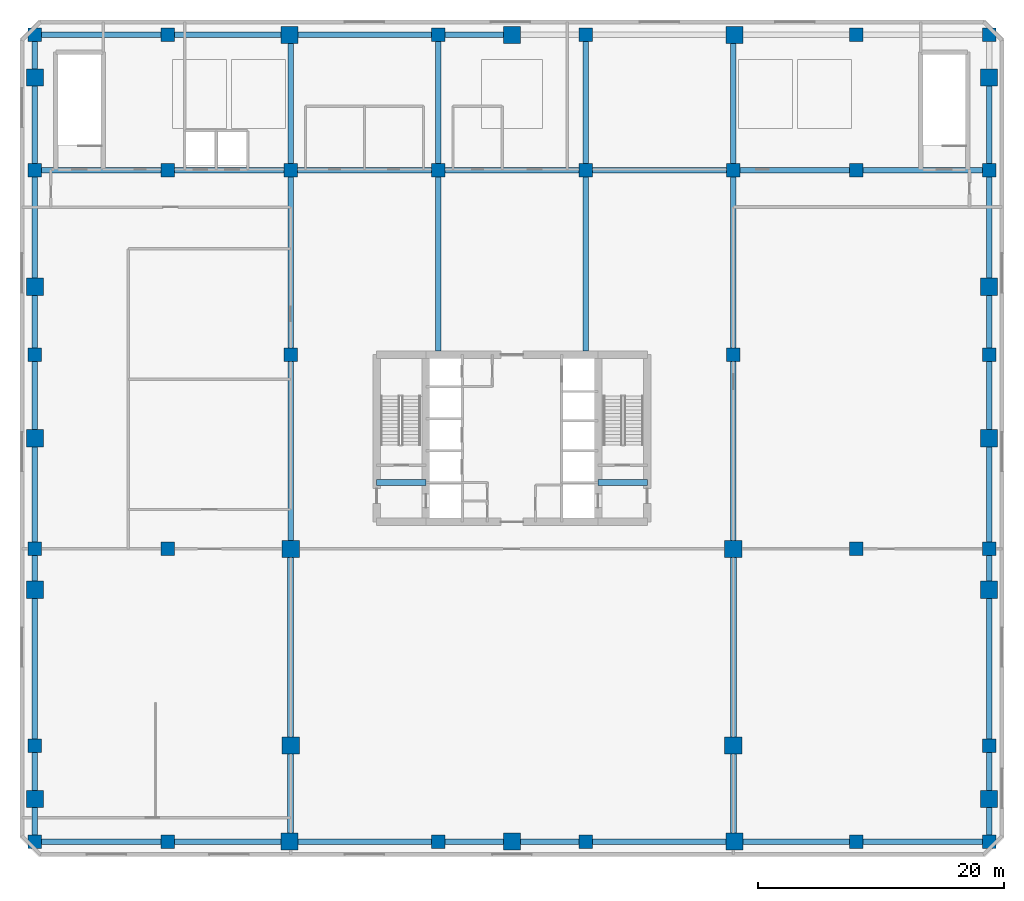
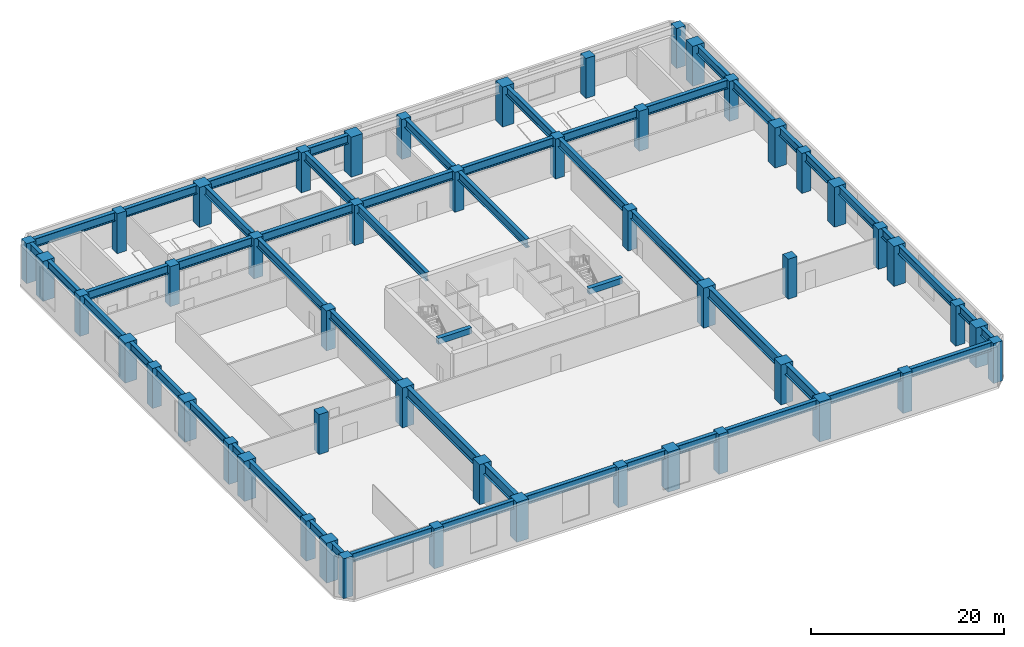
# One storey, part 1 of 12: 52 beams, 50 columns.
"""IFC4 building model written with IfcOpenShell, lengths in metres."""

from ifc_helpers import new_model, si_unit, direction, frame, origin, origin_2d, place, context, subcontext, project, spatial, rectangle, i_section, extrude, material, material_profile, profile_set, type_object, element, save


model = new_model("IFC4")

# Units and contexts
model_context = context("Model", 3, precision=1e-05, world=origin(), true_north=direction((0.0, 1.0)))
body_context = subcontext(model_context, "Body", "Model", "MODEL_VIEW")
ifc_project = project(units=[si_unit("LENGTHUNIT", "METRE"), si_unit("AREAUNIT", "SQUARE_METRE"), si_unit("VOLUMEUNIT", "CUBIC_METRE"), si_unit("PLANEANGLEUNIT", "RADIAN"), si_unit("MASSUNIT", "GRAM", prefix="KILO")], contexts=[model_context])

# Site, building, storey
site_placement = place(None, origin())
site = spatial("IfcSite", under=ifc_project, at=site_placement, CompositionType="ELEMENT")
building_placement = place(site_placement, origin())
building = spatial("IfcBuilding", under=site, at=building_placement, Name="Sarneth Arch Tower", CompositionType="ELEMENT")
storey_placement = place(building_placement, frame((0.0, 0.0, 16.800048828125)))
storey = spatial("IfcBuildingStorey", under=building, at=storey_placement, Name="L03", CompositionType="ELEMENT", Elevation=16.800048828125)

# Columns
ifc_material_1 = material(Name="Concrete C60/75", Category="concrete")
ifc_material_profile_1 = material_profile(ifc_material_1, rectangle(XDim=1.10009765625, YDim=1.10009765625, at=origin_2d()), Name="RC-1100x1100")
ifc_profile_set_1 = profile_set([ifc_material_profile_1], Name="Concrete C60/75")
column_type_1 = type_object("IfcColumnType", Name="COL-RC-1100", PredefinedType="COLUMN", material=ifc_profile_set_1)
for number, where, z_axis, x_axis, name in (
    (1, (9.199951171875, 74.800048828125, 0.0), (0.0, 0.0, 1.0), (1.0, 0.0, 0.0), "L03 Podium column PN01"),
    (2, (9.199951171875, 9.199951171875, 0.0), (0.0, 0.0, 1.0), (1.0, 0.0, 0.0), "L03 Podium column PS01"),
    (3, (9.199951171875, 63.800048828125, 0.0), (0.0, 0.0, 1.0), (1.0, 0.0, 0.0), "L03 Podium column PC01"),
    (4, (20.0, 74.800048828125, 0.0), (0.0, 0.0, 1.0), (1.0, 0.0, 0.0), "L03 Podium column PN02"),
    (5, (20.0, 9.199951171875, 0.0), (0.0, 0.0, 1.0), (1.0, 0.0, 0.0), "L03 Podium column PS02"),
    (6, (20.0, 63.800048828125, 0.0), (0.0, 0.0, 1.0), (1.0, 0.0, 0.0), "L03 Podium column PC02"),
    (7, (30.0, 63.800048828125, 0.0), (0.0, 0.0, 1.0), (1.0, 0.0, 0.0), "L03 Podium column PC03"),
    (8, (42.0, 74.800048828125, 0.0), (0.0, 0.0, 1.0), (1.0, 0.0, 0.0), "L03 Podium column PN04"),
    (9, (42.0, 9.199951171875, 0.0), (0.0, 0.0, 1.0), (1.0, 0.0, 0.0), "L03 Podium column PS04"),
    (10, (42.0, 63.800048828125, 0.0), (0.0, 0.0, 1.0), (1.0, 0.0, 0.0), "L03 Podium column PC04"),
    (11, (54.0, 74.800048828125, 0.0), (0.0, 0.0, 1.0), (1.0, 0.0, 0.0), "L03 Podium column PN05"),
    (12, (54.0, 9.199951171875, 0.0), (0.0, 0.0, 1.0), (1.0, 0.0, 0.0), "L03 Podium column PS05"),
    (13, (54.0, 63.800048828125, 0.0), (0.0, 0.0, 1.0), (1.0, 0.0, 0.0), "L03 Podium column PC05"),
    (14, (66.0, 63.800048828125, 0.0), (0.0, 0.0, 1.0), (1.0, 0.0, 0.0), "L03 Podium column PC06"),
    (15, (76.0, 74.800048828125, 0.0), (0.0, 0.0, 1.0), (1.0, 0.0, 0.0), "L03 Podium column PN07"),
    (16, (76.0, 9.199951171875, 0.0), (0.0, 0.0, 1.0), (1.0, 0.0, 0.0), "L03 Podium column PS07"),
    (17, (76.0, 63.800048828125, 0.0), (0.0, 0.0, 1.0), (1.0, 0.0, 0.0), "L03 Podium column PC07"),
    (18, (86.800048828125, 74.800048828125, 0.0), (0.0, 0.0, 1.0), (1.0, 0.0, 0.0), "L03 Podium column PN08"),
    (19, (86.800048828125, 9.199951171875, 0.0), (0.0, 0.0, 1.0), (1.0, 0.0, 0.0), "L03 Podium column PS08"),
    (20, (86.800048828125, 63.800048828125, 0.0), (0.0, 0.0, 1.0), (1.0, 0.0, 0.0), "L03 Podium column PC08"),
    (21, (9.199951171875, 17.0, 0.0), (0.0, 0.0, 1.0), (1.0, 0.0, 0.0), "L03 Podium column PW01"),
    (22, (86.800048828125, 17.0, 0.0), (0.0, 0.0, 1.0), (1.0, 0.0, 0.0), "L03 Podium column PE01"),
    (23, (9.199951171875, 33.0, 0.0), (0.0, 0.0, 1.0), (1.0, 0.0, 0.0), "L03 Podium column PW02"),
    (24, (86.800048828125, 33.0, 0.0), (0.0, 0.0, 1.0), (1.0, 0.0, 0.0), "L03 Podium column PE02"),
    (25, (9.199951171875, 48.800048828125, 0.0), (0.0, 0.0, 1.0), (1.0, 0.0, 0.0), "L03 Podium column PW03"),
    (26, (86.800048828125, 48.800048828125, 0.0), (0.0, 0.0, 1.0), (1.0, 0.0, 0.0), "L03 Podium column PE03"),
    (27, (20.0, 33.0, 0.0), (0.0, 0.0, 1.0), (1.0, 0.0, 0.0), "L03 Podium column AN-W1"),
    (28, (76.0, 33.0, 0.0), (0.0, 0.0, 1.0), (1.0, 0.0, 0.0), "L03 Podium column AN-E1"),
    (29, (30.0, 48.800048828125, 0.0), (0.0, 0.0, 1.0), (1.0, 0.0, 0.0), "L03 Podium column WC-W1"),
    (30, (66.0, 48.800048828125, 0.0), (0.0, 0.0, 1.0), (1.0, 0.0, 0.0), "L03 Podium column WC-E1"),
):
    element("IfcColumn", number, at=place(storey_placement, frame(where, z_axis=z_axis, x_axis=x_axis)), inside=storey, type_object=column_type_1, Name=name, PredefinedType="COLUMN", context=body_context, shape_type="SweptSolid", body=[
        extrude(rectangle(XDim=1.10009765625, YDim=1.10009765625, at=origin_2d()), origin(), (0.0, 0.0, 1.0), 5.050048828125),
    ])
ifc_material_2 = material(Name="Concrete C60/75", Category="concrete")
ifc_material_profile_2 = material_profile(ifc_material_2, rectangle(XDim=1.39990234375, YDim=1.39990234375, at=origin_2d()), Name="RC-1400x1400")
ifc_profile_set_2 = profile_set([ifc_material_profile_2], Name="Concrete C60/75")
column_type_2 = type_object("IfcColumnType", Name="COL-RC-1400", PredefinedType="COLUMN", material=ifc_profile_set_2)
for number, where, z_axis, x_axis, name in (
    (31, (30.0, 17.0, 0.0), (0.0, 0.0, 1.0), (1.0, 0.0, 0.0), "L03 Podium column AP-SW"),
    (32, (66.0, 17.0, 0.0), (0.0, 0.0, 1.0), (1.0, 0.0, 0.0), "L03 Podium column AP-SE"),
    (33, (30.0, 33.0, 0.0), (0.0, 0.0, 1.0), (1.0, 0.0, 0.0), "L03 Podium column AP-NW"),
    (34, (66.0, 33.0, 0.0), (0.0, 0.0, 1.0), (1.0, 0.0, 0.0), "L03 Podium column AP-NE"),
    (35, (86.800048828125, 42.0, 0.0), (0.0, 0.0, 1.0), (1.0, 0.0, 0.0), "L03 Podium column PX01"),
    (36, (86.800048828125, 54.31787109375, 0.0), (0.0, 0.0, 1.0), (1.0, 0.0, 0.0), "L03 Podium column PX02"),
    (37, (86.800048828125, 71.336669921875, 0.0), (0.0, 0.0, 1.0), (1.0, 0.0, 0.0), "L03 Podium column PX03"),
    (38, (66.08447265625, 74.800048828125, 0.0), (0.0, 0.0, 1.0), (1.0, 0.0, 0.0), "L03 Podium column PX04"),
    (39, (48.0, 74.800048828125, 0.0), (0.0, 0.0, 1.0), (1.0, 0.0, 0.0), "L03 Podium column PX05"),
    (40, (29.91552734375, 74.800048828125, 0.0), (0.0, 0.0, 1.0), (1.0, 0.0, 0.0), "L03 Podium column PX06"),
    (41, (9.199951171875, 71.336669921875, 0.0), (0.0, 0.0, 1.0), (1.0, 0.0, 0.0), "L03 Podium column PX07"),
    (42, (9.199951171875, 54.31787109375, 0.0), (0.0, 0.0, 1.0), (1.0, 0.0, 0.0), "L03 Podium column PX08"),
    (43, (9.199951171875, 42.0, 0.0), (0.0, 0.0, 1.0), (1.0, 0.0, 0.0), "L03 Podium column PX09"),
    (44, (9.199951171875, 29.68212890625, 0.0), (0.0, 0.0, 1.0), (1.0, 0.0, 0.0), "L03 Podium column PX10"),
    (45, (9.199951171875, 12.663330078125, 0.0), (0.0, 0.0, 1.0), (1.0, 0.0, 0.0), "L03 Podium column PX11"),
    (46, (29.91552734375, 9.199951171875, 0.0), (0.0, 0.0, 1.0), (1.0, 0.0, 0.0), "L03 Podium column PX12"),
    (47, (48.0, 9.199951171875, 0.0), (0.0, 0.0, 1.0), (1.0, 0.0, 0.0), "L03 Podium column PX13"),
    (48, (66.08447265625, 9.199951171875, 0.0), (0.0, 0.0, 1.0), (1.0, 0.0, 0.0), "L03 Podium column PX14"),
    (49, (86.800048828125, 12.663330078125, 0.0), (0.0, 0.0, 1.0), (1.0, 0.0, 0.0), "L03 Podium column PX15"),
    (50, (86.800048828125, 29.68212890625, 0.0), (0.0, 0.0, 1.0), (1.0, 0.0, 0.0), "L03 Podium column PX16"),
):
    element("IfcColumn", number, at=place(storey_placement, frame(where, z_axis=z_axis, x_axis=x_axis)), inside=storey, type_object=column_type_2, Name=name, PredefinedType="COLUMN", context=body_context, shape_type="SweptSolid", body=[
        extrude(rectangle(XDim=1.39990234375, YDim=1.39990234375, at=origin_2d()), origin(), (0.0, 0.0, 1.0), 5.050048828125),
    ])

# Beams
ifc_material_3 = material(Name="Concrete C50/60", Category="concrete")
ifc_material_profile_3 = material_profile(ifc_material_3, rectangle(XDim=0.5, YDim=0.75, at=origin_2d()), Name="RC-500x750")
ifc_profile_set_3 = profile_set([ifc_material_profile_3], Name="Concrete C50/60")
beam_type_1 = type_object("IfcBeamType", Name="BM-LINTEL-RC", PredefinedType="LINTEL", material=ifc_profile_set_3)
for number, where, z_axis, x_axis, name in (
    (51, (37.0, 38.39990234375, 4.675048828125), (1.0, 0.0, 0.0), (0.0, 1.0, 0.0), "L03 Core coupling lintel W"),
    (52, (55.0, 38.39990234375, 4.675048828125), (1.0, 0.0, 0.0), (0.0, 1.0, 0.0), "L03 Core coupling lintel E"),
):
    element("IfcBeam", number, at=place(storey_placement, frame(where, z_axis=z_axis, x_axis=x_axis)), inside=storey, type_object=beam_type_1, Name=name, PredefinedType="LINTEL", context=body_context, shape_type="SweptSolid", body=[
        extrude(rectangle(XDim=0.5, YDim=0.75, at=origin_2d()), origin(), (0.0, 0.0, 1.0), 4.0),
    ])
ifc_material_4 = material(Name="Steel S355", Category="steel")
ifc_material_profile_4 = material_profile(ifc_material_4, i_section(OverallWidth=0.449951171875, OverallDepth=1.10009765625, WebThickness=0.02001953125, FlangeThickness=0.0380859375, FilletRadius=0.02197265625, at=origin_2d()), Name="CVS1100x456")
ifc_profile_set_4 = profile_set([ifc_material_profile_4], Name="Steel S355")
beam_type_2 = type_object("IfcBeamType", Name="BM-XFER-1100", PredefinedType="BEAM", material=ifc_profile_set_4)
beam_1_placement = place(storey_placement, frame((9.719970703125, 74.800048828125, 4.5), z_axis=(1.0, 0.0, 0.0), x_axis=(0.0, 1.0, 0.0)))
element("IfcBeam", 53, at=beam_1_placement, inside=storey, type_object=beam_type_2, Name="L03 Podium PN girder 1", PredefinedType="BEAM", context=body_context, shape_type="SweptSolid", body=[
    extrude(i_section(OverallWidth=0.449951171875, OverallDepth=1.10009765625, WebThickness=0.02001953125, FlangeThickness=0.0380859375, FilletRadius=0.02197265625, at=origin_2d()), origin(), (0.0, 0.0, 1.0), 9.760009765625),
])
beam_2_placement = place(storey_placement, frame((20.52001953125, 74.800048828125, 4.5), z_axis=(1.0, 0.0, 0.0), x_axis=(0.0, 1.0, 0.0)))
element("IfcBeam", 54, at=beam_2_placement, inside=storey, type_object=beam_type_2, Name="L03 Podium PN girder 2", PredefinedType="BEAM", context=body_context, shape_type="SweptSolid", body=[
    extrude(i_section(OverallWidth=0.449951171875, OverallDepth=1.10009765625, WebThickness=0.02001953125, FlangeThickness=0.0380859375, FilletRadius=0.02197265625, at=origin_2d()), origin(), (0.0, 0.0, 1.0), 8.87548828125),
])
beam_3_placement = place(storey_placement, frame((30.435546875, 74.800048828125, 4.5), z_axis=(1.0, 0.0, 0.0), x_axis=(0.0, 1.0, 0.0)))
element("IfcBeam", 55, at=beam_3_placement, inside=storey, type_object=beam_type_2, Name="L03 Podium PN girder 3", PredefinedType="BEAM", context=body_context, shape_type="SweptSolid", body=[
    extrude(i_section(OverallWidth=0.449951171875, OverallDepth=1.10009765625, WebThickness=0.02001953125, FlangeThickness=0.0380859375, FilletRadius=0.02197265625, at=origin_2d()), origin(), (0.0, 0.0, 1.0), 11.04443359375),
])
beam_4_placement = place(storey_placement, frame((42.52001953125, 74.800048828125, 4.5), z_axis=(1.0, 0.0, 0.0), x_axis=(0.0, 1.0, 0.0)))
element("IfcBeam", 56, at=beam_4_placement, inside=storey, type_object=beam_type_2, Name="L03 Podium PN girder 4", PredefinedType="BEAM", context=body_context, shape_type="SweptSolid", body=[
    extrude(i_section(OverallWidth=0.449951171875, OverallDepth=1.10009765625, WebThickness=0.02001953125, FlangeThickness=0.0380859375, FilletRadius=0.02197265625, at=origin_2d()), origin(), (0.0, 0.0, 1.0), 4.9599609375),
])
beam_5_placement = place(storey_placement, frame((9.719970703125, 9.199951171875, 4.5), z_axis=(1.0, 0.0, 0.0), x_axis=(0.0, 1.0, 0.0)))
element("IfcBeam", 57, at=beam_5_placement, inside=storey, type_object=beam_type_2, Name="L03 Podium PS girder 1", PredefinedType="BEAM", context=body_context, shape_type="SweptSolid", body=[
    extrude(i_section(OverallWidth=0.449951171875, OverallDepth=1.10009765625, WebThickness=0.02001953125, FlangeThickness=0.0380859375, FilletRadius=0.02197265625, at=origin_2d()), origin(), (0.0, 0.0, 1.0), 9.760009765625),
])
beam_6_placement = place(storey_placement, frame((20.52001953125, 9.199951171875, 4.5), z_axis=(1.0, 0.0, 0.0), x_axis=(0.0, 1.0, 0.0)))
element("IfcBeam", 58, at=beam_6_placement, inside=storey, type_object=beam_type_2, Name="L03 Podium PS girder 2", PredefinedType="BEAM", context=body_context, shape_type="SweptSolid", body=[
    extrude(i_section(OverallWidth=0.449951171875, OverallDepth=1.10009765625, WebThickness=0.02001953125, FlangeThickness=0.0380859375, FilletRadius=0.02197265625, at=origin_2d()), origin(), (0.0, 0.0, 1.0), 8.87548828125),
])
beam_7_placement = place(storey_placement, frame((30.435546875, 9.199951171875, 4.5), z_axis=(1.0, 0.0, 0.0), x_axis=(0.0, 1.0, 0.0)))
element("IfcBeam", 59, at=beam_7_placement, inside=storey, type_object=beam_type_2, Name="L03 Podium PS girder 3", PredefinedType="BEAM", context=body_context, shape_type="SweptSolid", body=[
    extrude(i_section(OverallWidth=0.449951171875, OverallDepth=1.10009765625, WebThickness=0.02001953125, FlangeThickness=0.0380859375, FilletRadius=0.02197265625, at=origin_2d()), origin(), (0.0, 0.0, 1.0), 11.04443359375),
])
for number, where, z_axis, x_axis, name in (
    (60, (42.52001953125, 9.199951171875, 4.5), (1.0, 0.0, 0.0), (0.0, 1.0, 0.0), "L03 Podium PS girder 4"),
    (61, (48.52001953125, 9.199951171875, 4.5), (1.0, 0.0, 0.0), (0.0, 1.0, 0.0), "L03 Podium PS girder 5"),
):
    element("IfcBeam", number, at=place(storey_placement, frame(where, z_axis=z_axis, x_axis=x_axis)), inside=storey, type_object=beam_type_2, Name=name, PredefinedType="BEAM", context=body_context, shape_type="SweptSolid", body=[
        extrude(i_section(OverallWidth=0.449951171875, OverallDepth=1.10009765625, WebThickness=0.02001953125, FlangeThickness=0.0380859375, FilletRadius=0.02197265625, at=origin_2d()), origin(), (0.0, 0.0, 1.0), 4.9599609375),
    ])
beam_8_placement = place(storey_placement, frame((54.52001953125, 9.199951171875, 4.5), z_axis=(1.0, 0.0, 0.0), x_axis=(0.0, 1.0, 0.0)))
element("IfcBeam", 62, at=beam_8_placement, inside=storey, type_object=beam_type_2, Name="L03 Podium PS girder 6", PredefinedType="BEAM", context=body_context, shape_type="SweptSolid", body=[
    extrude(i_section(OverallWidth=0.449951171875, OverallDepth=1.10009765625, WebThickness=0.02001953125, FlangeThickness=0.0380859375, FilletRadius=0.02197265625, at=origin_2d()), origin(), (0.0, 0.0, 1.0), 11.04443359375),
])
beam_9_placement = place(storey_placement, frame((66.6044921875, 9.199951171875, 4.5), z_axis=(1.0, 0.0, 0.0), x_axis=(0.0, 1.0, 0.0)))
element("IfcBeam", 63, at=beam_9_placement, inside=storey, type_object=beam_type_2, Name="L03 Podium PS girder 7", PredefinedType="BEAM", context=body_context, shape_type="SweptSolid", body=[
    extrude(i_section(OverallWidth=0.449951171875, OverallDepth=1.10009765625, WebThickness=0.02001953125, FlangeThickness=0.0380859375, FilletRadius=0.02197265625, at=origin_2d()), origin(), (0.0, 0.0, 1.0), 8.87548828125),
])
for number, where, z_axis, x_axis, name in (
    (64, (76.52001953125, 9.199951171875, 4.5), (1.0, 0.0, 0.0), (0.0, 1.0, 0.0), "L03 Podium PS girder 8"),
    (65, (9.719970703125, 63.800048828125, 4.5), (1.0, 0.0, 0.0), (0.0, 1.0, 0.0), "L03 Podium PC girder 1"),
):
    element("IfcBeam", number, at=place(storey_placement, frame(where, z_axis=z_axis, x_axis=x_axis)), inside=storey, type_object=beam_type_2, Name=name, PredefinedType="BEAM", context=body_context, shape_type="SweptSolid", body=[
        extrude(i_section(OverallWidth=0.449951171875, OverallDepth=1.10009765625, WebThickness=0.02001953125, FlangeThickness=0.0380859375, FilletRadius=0.02197265625, at=origin_2d()), origin(), (0.0, 0.0, 1.0), 9.760009765625),
    ])
beam_10_placement = place(storey_placement, frame((20.52001953125, 63.800048828125, 4.5), z_axis=(1.0, 0.0, 0.0), x_axis=(0.0, 1.0, 0.0)))
element("IfcBeam", 66, at=beam_10_placement, inside=storey, type_object=beam_type_2, Name="L03 Podium PC girder 2", PredefinedType="BEAM", context=body_context, shape_type="SweptSolid", body=[
    extrude(i_section(OverallWidth=0.449951171875, OverallDepth=1.10009765625, WebThickness=0.02001953125, FlangeThickness=0.0380859375, FilletRadius=0.02197265625, at=origin_2d()), origin(), (0.0, 0.0, 1.0), 8.9599609375),
])
for number, where, z_axis, x_axis, name in (
    (67, (30.52001953125, 63.800048828125, 4.5), (1.0, 0.0, 0.0), (0.0, 1.0, 0.0), "L03 Podium PC girder 3"),
    (68, (42.52001953125, 63.800048828125, 4.5), (1.0, 0.0, 0.0), (0.0, 1.0, 0.0), "L03 Podium PC girder 4"),
    (69, (54.52001953125, 63.800048828125, 4.5), (1.0, 0.0, 0.0), (0.0, 1.0, 0.0), "L03 Podium PC girder 5"),
):
    element("IfcBeam", number, at=place(storey_placement, frame(where, z_axis=z_axis, x_axis=x_axis)), inside=storey, type_object=beam_type_2, Name=name, PredefinedType="BEAM", context=body_context, shape_type="SweptSolid", body=[
        extrude(i_section(OverallWidth=0.449951171875, OverallDepth=1.10009765625, WebThickness=0.02001953125, FlangeThickness=0.0380859375, FilletRadius=0.02197265625, at=origin_2d()), origin(), (0.0, 0.0, 1.0), 10.9599609375),
    ])
beam_11_placement = place(storey_placement, frame((66.52001953125, 63.800048828125, 4.5), z_axis=(1.0, 0.0, 0.0), x_axis=(0.0, 1.0, 0.0)))
element("IfcBeam", 70, at=beam_11_placement, inside=storey, type_object=beam_type_2, Name="L03 Podium PC girder 6", PredefinedType="BEAM", context=body_context, shape_type="SweptSolid", body=[
    extrude(i_section(OverallWidth=0.449951171875, OverallDepth=1.10009765625, WebThickness=0.02001953125, FlangeThickness=0.0380859375, FilletRadius=0.02197265625, at=origin_2d()), origin(), (0.0, 0.0, 1.0), 8.9599609375),
])
beam_12_placement = place(storey_placement, frame((76.52001953125, 63.800048828125, 4.5), z_axis=(1.0, 0.0, 0.0), x_axis=(0.0, 1.0, 0.0)))
element("IfcBeam", 71, at=beam_12_placement, inside=storey, type_object=beam_type_2, Name="L03 Podium PC girder 7", PredefinedType="BEAM", context=body_context, shape_type="SweptSolid", body=[
    extrude(i_section(OverallWidth=0.449951171875, OverallDepth=1.10009765625, WebThickness=0.02001953125, FlangeThickness=0.0380859375, FilletRadius=0.02197265625, at=origin_2d()), origin(), (0.0, 0.0, 1.0), 9.760009765625),
])
beam_13_placement = place(storey_placement, frame((9.199951171875, 9.719970703125, 4.5), z_axis=(0.0, 1.0, 0.0), x_axis=(-1.0, 0.0, 0.0)))
element("IfcBeam", 72, at=beam_13_placement, inside=storey, type_object=beam_type_2, Name="L03 Podium PW girder 1", PredefinedType="BEAM", context=body_context, shape_type="SweptSolid", body=[
    extrude(i_section(OverallWidth=0.449951171875, OverallDepth=1.10009765625, WebThickness=0.02001953125, FlangeThickness=0.0380859375, FilletRadius=0.02197265625, at=origin_2d()), origin(), (0.0, 0.0, 1.0), 2.42333984375),
])
beam_14_placement = place(storey_placement, frame((9.199951171875, 13.183349609375, 4.5), z_axis=(0.0, 1.0, 0.0), x_axis=(-1.0, 0.0, 0.0)))
element("IfcBeam", 73, at=beam_14_placement, inside=storey, type_object=beam_type_2, Name="L03 Podium PW girder 2", PredefinedType="BEAM", context=body_context, shape_type="SweptSolid", body=[
    extrude(i_section(OverallWidth=0.449951171875, OverallDepth=1.10009765625, WebThickness=0.02001953125, FlangeThickness=0.0380859375, FilletRadius=0.02197265625, at=origin_2d()), origin(), (0.0, 0.0, 1.0), 3.296630859375),
])
beam_15_placement = place(storey_placement, frame((9.199951171875, 17.52001953125, 4.5), z_axis=(0.0, 1.0, 0.0), x_axis=(-1.0, 0.0, 0.0)))
element("IfcBeam", 74, at=beam_15_placement, inside=storey, type_object=beam_type_2, Name="L03 Podium PW girder 3", PredefinedType="BEAM", context=body_context, shape_type="SweptSolid", body=[
    extrude(i_section(OverallWidth=0.449951171875, OverallDepth=1.10009765625, WebThickness=0.02001953125, FlangeThickness=0.0380859375, FilletRadius=0.02197265625, at=origin_2d()), origin(), (0.0, 0.0, 1.0), 11.64208984375),
])
beam_16_placement = place(storey_placement, frame((9.199951171875, 30.2021484375, 4.5), z_axis=(0.0, 1.0, 0.0), x_axis=(-1.0, 0.0, 0.0)))
element("IfcBeam", 75, at=beam_16_placement, inside=storey, type_object=beam_type_2, Name="L03 Podium PW girder 4", PredefinedType="BEAM", context=body_context, shape_type="SweptSolid", body=[
    extrude(i_section(OverallWidth=0.449951171875, OverallDepth=1.10009765625, WebThickness=0.02001953125, FlangeThickness=0.0380859375, FilletRadius=0.02197265625, at=origin_2d()), origin(), (0.0, 0.0, 1.0), 2.27783203125),
])
beam_17_placement = place(storey_placement, frame((9.199951171875, 33.52001953125, 4.5), z_axis=(0.0, 1.0, 0.0), x_axis=(-1.0, 0.0, 0.0)))
element("IfcBeam", 76, at=beam_17_placement, inside=storey, type_object=beam_type_2, Name="L03 Podium PW girder 5", PredefinedType="BEAM", context=body_context, shape_type="SweptSolid", body=[
    extrude(i_section(OverallWidth=0.449951171875, OverallDepth=1.10009765625, WebThickness=0.02001953125, FlangeThickness=0.0380859375, FilletRadius=0.02197265625, at=origin_2d()), origin(), (0.0, 0.0, 1.0), 7.9599609375),
])
beam_18_placement = place(storey_placement, frame((9.199951171875, 42.52001953125, 4.5), z_axis=(0.0, 1.0, 0.0), x_axis=(-1.0, 0.0, 0.0)))
element("IfcBeam", 77, at=beam_18_placement, inside=storey, type_object=beam_type_2, Name="L03 Podium PW girder 6", PredefinedType="BEAM", context=body_context, shape_type="SweptSolid", body=[
    extrude(i_section(OverallWidth=0.449951171875, OverallDepth=1.10009765625, WebThickness=0.02001953125, FlangeThickness=0.0380859375, FilletRadius=0.02197265625, at=origin_2d()), origin(), (0.0, 0.0, 1.0), 5.760009765625),
])
beam_19_placement = place(storey_placement, frame((9.199951171875, 49.320068359375, 4.5), z_axis=(0.0, 1.0, 0.0), x_axis=(-1.0, 0.0, 0.0)))
element("IfcBeam", 78, at=beam_19_placement, inside=storey, type_object=beam_type_2, Name="L03 Podium PW girder 7", PredefinedType="BEAM", context=body_context, shape_type="SweptSolid", body=[
    extrude(i_section(OverallWidth=0.449951171875, OverallDepth=1.10009765625, WebThickness=0.02001953125, FlangeThickness=0.0380859375, FilletRadius=0.02197265625, at=origin_2d()), origin(), (0.0, 0.0, 1.0), 4.477783203125),
])
beam_20_placement = place(storey_placement, frame((9.199951171875, 54.837890625, 4.5), z_axis=(0.0, 1.0, 0.0), x_axis=(-1.0, 0.0, 0.0)))
element("IfcBeam", 79, at=beam_20_placement, inside=storey, type_object=beam_type_2, Name="L03 Podium PW girder 8", PredefinedType="BEAM", context=body_context, shape_type="SweptSolid", body=[
    extrude(i_section(OverallWidth=0.449951171875, OverallDepth=1.10009765625, WebThickness=0.02001953125, FlangeThickness=0.0380859375, FilletRadius=0.02197265625, at=origin_2d()), origin(), (0.0, 0.0, 1.0), 8.442138671875),
])
beam_21_placement = place(storey_placement, frame((9.199951171875, 64.320068359375, 4.5), z_axis=(0.0, 1.0, 0.0), x_axis=(-1.0, 0.0, 0.0)))
element("IfcBeam", 80, at=beam_21_placement, inside=storey, type_object=beam_type_2, Name="L03 Podium PW girder 9", PredefinedType="BEAM", context=body_context, shape_type="SweptSolid", body=[
    extrude(i_section(OverallWidth=0.449951171875, OverallDepth=1.10009765625, WebThickness=0.02001953125, FlangeThickness=0.0380859375, FilletRadius=0.02197265625, at=origin_2d()), origin(), (0.0, 0.0, 1.0), 6.49658203125),
])
for number, where, z_axis, x_axis, name in (
    (81, (9.199951171875, 71.856689453125, 4.5), (0.0, 1.0, 0.0), (-1.0, 0.0, 0.0), "L03 Podium PW girder 10"),
    (82, (86.800048828125, 9.719970703125, 4.5), (0.0, 1.0, 0.0), (-1.0, 0.0, 0.0), "L03 Podium PE girder 1"),
):
    element("IfcBeam", number, at=place(storey_placement, frame(where, z_axis=z_axis, x_axis=x_axis)), inside=storey, type_object=beam_type_2, Name=name, PredefinedType="BEAM", context=body_context, shape_type="SweptSolid", body=[
        extrude(i_section(OverallWidth=0.449951171875, OverallDepth=1.10009765625, WebThickness=0.02001953125, FlangeThickness=0.0380859375, FilletRadius=0.02197265625, at=origin_2d()), origin(), (0.0, 0.0, 1.0), 2.42333984375),
    ])
beam_22_placement = place(storey_placement, frame((86.800048828125, 13.183349609375, 4.5), z_axis=(0.0, 1.0, 0.0), x_axis=(-1.0, 0.0, 0.0)))
element("IfcBeam", 83, at=beam_22_placement, inside=storey, type_object=beam_type_2, Name="L03 Podium PE girder 2", PredefinedType="BEAM", context=body_context, shape_type="SweptSolid", body=[
    extrude(i_section(OverallWidth=0.449951171875, OverallDepth=1.10009765625, WebThickness=0.02001953125, FlangeThickness=0.0380859375, FilletRadius=0.02197265625, at=origin_2d()), origin(), (0.0, 0.0, 1.0), 3.296630859375),
])
beam_23_placement = place(storey_placement, frame((86.800048828125, 17.52001953125, 4.5), z_axis=(0.0, 1.0, 0.0), x_axis=(-1.0, 0.0, 0.0)))
element("IfcBeam", 84, at=beam_23_placement, inside=storey, type_object=beam_type_2, Name="L03 Podium PE girder 3", PredefinedType="BEAM", context=body_context, shape_type="SweptSolid", body=[
    extrude(i_section(OverallWidth=0.449951171875, OverallDepth=1.10009765625, WebThickness=0.02001953125, FlangeThickness=0.0380859375, FilletRadius=0.02197265625, at=origin_2d()), origin(), (0.0, 0.0, 1.0), 11.64208984375),
])
beam_24_placement = place(storey_placement, frame((86.800048828125, 30.2021484375, 4.5), z_axis=(0.0, 1.0, 0.0), x_axis=(-1.0, 0.0, 0.0)))
element("IfcBeam", 85, at=beam_24_placement, inside=storey, type_object=beam_type_2, Name="L03 Podium PE girder 4", PredefinedType="BEAM", context=body_context, shape_type="SweptSolid", body=[
    extrude(i_section(OverallWidth=0.449951171875, OverallDepth=1.10009765625, WebThickness=0.02001953125, FlangeThickness=0.0380859375, FilletRadius=0.02197265625, at=origin_2d()), origin(), (0.0, 0.0, 1.0), 2.27783203125),
])
beam_25_placement = place(storey_placement, frame((86.800048828125, 33.52001953125, 4.5), z_axis=(0.0, 1.0, 0.0), x_axis=(-1.0, 0.0, 0.0)))
element("IfcBeam", 86, at=beam_25_placement, inside=storey, type_object=beam_type_2, Name="L03 Podium PE girder 5", PredefinedType="BEAM", context=body_context, shape_type="SweptSolid", body=[
    extrude(i_section(OverallWidth=0.449951171875, OverallDepth=1.10009765625, WebThickness=0.02001953125, FlangeThickness=0.0380859375, FilletRadius=0.02197265625, at=origin_2d()), origin(), (0.0, 0.0, 1.0), 7.9599609375),
])
beam_26_placement = place(storey_placement, frame((86.800048828125, 42.52001953125, 4.5), z_axis=(0.0, 1.0, 0.0), x_axis=(-1.0, 0.0, 0.0)))
element("IfcBeam", 87, at=beam_26_placement, inside=storey, type_object=beam_type_2, Name="L03 Podium PE girder 6", PredefinedType="BEAM", context=body_context, shape_type="SweptSolid", body=[
    extrude(i_section(OverallWidth=0.449951171875, OverallDepth=1.10009765625, WebThickness=0.02001953125, FlangeThickness=0.0380859375, FilletRadius=0.02197265625, at=origin_2d()), origin(), (0.0, 0.0, 1.0), 5.760009765625),
])
beam_27_placement = place(storey_placement, frame((86.800048828125, 49.320068359375, 4.5), z_axis=(0.0, 1.0, 0.0), x_axis=(-1.0, 0.0, 0.0)))
element("IfcBeam", 88, at=beam_27_placement, inside=storey, type_object=beam_type_2, Name="L03 Podium PE girder 7", PredefinedType="BEAM", context=body_context, shape_type="SweptSolid", body=[
    extrude(i_section(OverallWidth=0.449951171875, OverallDepth=1.10009765625, WebThickness=0.02001953125, FlangeThickness=0.0380859375, FilletRadius=0.02197265625, at=origin_2d()), origin(), (0.0, 0.0, 1.0), 4.477783203125),
])
beam_28_placement = place(storey_placement, frame((86.800048828125, 54.837890625, 4.5), z_axis=(0.0, 1.0, 0.0), x_axis=(-1.0, 0.0, 0.0)))
element("IfcBeam", 89, at=beam_28_placement, inside=storey, type_object=beam_type_2, Name="L03 Podium PE girder 8", PredefinedType="BEAM", context=body_context, shape_type="SweptSolid", body=[
    extrude(i_section(OverallWidth=0.449951171875, OverallDepth=1.10009765625, WebThickness=0.02001953125, FlangeThickness=0.0380859375, FilletRadius=0.02197265625, at=origin_2d()), origin(), (0.0, 0.0, 1.0), 8.442138671875),
])
beam_29_placement = place(storey_placement, frame((86.800048828125, 64.320068359375, 4.5), z_axis=(0.0, 1.0, 0.0), x_axis=(-1.0, 0.0, 0.0)))
element("IfcBeam", 90, at=beam_29_placement, inside=storey, type_object=beam_type_2, Name="L03 Podium PE girder 9", PredefinedType="BEAM", context=body_context, shape_type="SweptSolid", body=[
    extrude(i_section(OverallWidth=0.449951171875, OverallDepth=1.10009765625, WebThickness=0.02001953125, FlangeThickness=0.0380859375, FilletRadius=0.02197265625, at=origin_2d()), origin(), (0.0, 0.0, 1.0), 6.49658203125),
])
beam_30_placement = place(storey_placement, frame((30.0, 33.550048828125, 4.5), z_axis=(0.0, 1.0, 0.0), x_axis=(-1.0, 0.0, 0.0)))
element("IfcBeam", 91, at=beam_30_placement, inside=storey, type_object=beam_type_2, Name="L03 Podium N-S girder W30.1", PredefinedType="BEAM", context=body_context, shape_type="SweptSolid", body=[
    extrude(i_section(OverallWidth=0.449951171875, OverallDepth=1.10009765625, WebThickness=0.02001953125, FlangeThickness=0.0380859375, FilletRadius=0.02197265625, at=origin_2d()), origin(), (0.0, 0.0, 1.0), 14.699951171875),
])
beam_31_placement = place(storey_placement, frame((30.0, 49.35009765625, 4.5), z_axis=(0.0, 1.0, 0.0), x_axis=(-1.0, 0.0, 0.0)))
element("IfcBeam", 92, at=beam_31_placement, inside=storey, type_object=beam_type_2, Name="L03 Podium N-S girder W30.2", PredefinedType="BEAM", context=body_context, shape_type="SweptSolid", body=[
    extrude(i_section(OverallWidth=0.449951171875, OverallDepth=1.10009765625, WebThickness=0.02001953125, FlangeThickness=0.0380859375, FilletRadius=0.02197265625, at=origin_2d()), origin(), (0.0, 0.0, 1.0), 13.89990234375),
])
beam_32_placement = place(storey_placement, frame((30.0, 64.35009765625, 4.5), z_axis=(0.0, 1.0, 0.0), x_axis=(-1.0, 0.0, 0.0)))
element("IfcBeam", 93, at=beam_32_placement, inside=storey, type_object=beam_type_2, Name="L03 Podium N-S girder W30.3", PredefinedType="BEAM", context=body_context, shape_type="SweptSolid", body=[
    extrude(i_section(OverallWidth=0.449951171875, OverallDepth=1.10009765625, WebThickness=0.02001953125, FlangeThickness=0.0380859375, FilletRadius=0.02197265625, at=origin_2d()), origin(), (0.0, 0.0, 1.0), 9.89990234375),
])
beam_33_placement = place(storey_placement, frame((66.0, 33.550048828125, 4.5), z_axis=(0.0, 1.0, 0.0), x_axis=(-1.0, 0.0, 0.0)))
element("IfcBeam", 94, at=beam_33_placement, inside=storey, type_object=beam_type_2, Name="L03 Podium N-S girder E66.1", PredefinedType="BEAM", context=body_context, shape_type="SweptSolid", body=[
    extrude(i_section(OverallWidth=0.449951171875, OverallDepth=1.10009765625, WebThickness=0.02001953125, FlangeThickness=0.0380859375, FilletRadius=0.02197265625, at=origin_2d()), origin(), (0.0, 0.0, 1.0), 14.699951171875),
])
beam_34_placement = place(storey_placement, frame((66.0, 49.35009765625, 4.5), z_axis=(0.0, 1.0, 0.0), x_axis=(-1.0, 0.0, 0.0)))
element("IfcBeam", 95, at=beam_34_placement, inside=storey, type_object=beam_type_2, Name="L03 Podium N-S girder E66.2", PredefinedType="BEAM", context=body_context, shape_type="SweptSolid", body=[
    extrude(i_section(OverallWidth=0.449951171875, OverallDepth=1.10009765625, WebThickness=0.02001953125, FlangeThickness=0.0380859375, FilletRadius=0.02197265625, at=origin_2d()), origin(), (0.0, 0.0, 1.0), 13.89990234375),
])
beam_35_placement = place(storey_placement, frame((66.0, 64.35009765625, 4.5), z_axis=(0.0, 1.0, 0.0), x_axis=(-1.0, 0.0, 0.0)))
element("IfcBeam", 96, at=beam_35_placement, inside=storey, type_object=beam_type_2, Name="L03 Podium N-S girder E66.3", PredefinedType="BEAM", context=body_context, shape_type="SweptSolid", body=[
    extrude(i_section(OverallWidth=0.449951171875, OverallDepth=1.10009765625, WebThickness=0.02001953125, FlangeThickness=0.0380859375, FilletRadius=0.02197265625, at=origin_2d()), origin(), (0.0, 0.0, 1.0), 9.89990234375),
])
beam_36_placement = place(storey_placement, frame((42.0, 49.10009765625, 4.5), z_axis=(0.0, 1.0, 0.0), x_axis=(-1.0, 0.0, 0.0)))
element("IfcBeam", 97, at=beam_36_placement, inside=storey, type_object=beam_type_2, Name="L03 Core-north girder C42.1", PredefinedType="BEAM", context=body_context, shape_type="SweptSolid", body=[
    extrude(i_section(OverallWidth=0.449951171875, OverallDepth=1.10009765625, WebThickness=0.02001953125, FlangeThickness=0.0380859375, FilletRadius=0.02197265625, at=origin_2d()), origin(), (0.0, 0.0, 1.0), 14.14990234375),
])
beam_37_placement = place(storey_placement, frame((42.0, 64.35009765625, 4.5), z_axis=(0.0, 1.0, 0.0), x_axis=(-1.0, 0.0, 0.0)))
element("IfcBeam", 98, at=beam_37_placement, inside=storey, type_object=beam_type_2, Name="L03 North bay girder C42.2", PredefinedType="BEAM", context=body_context, shape_type="SweptSolid", body=[
    extrude(i_section(OverallWidth=0.449951171875, OverallDepth=1.10009765625, WebThickness=0.02001953125, FlangeThickness=0.0380859375, FilletRadius=0.02197265625, at=origin_2d()), origin(), (0.0, 0.0, 1.0), 9.89990234375),
])
beam_38_placement = place(storey_placement, frame((54.0, 49.10009765625, 4.5), z_axis=(0.0, 1.0, 0.0), x_axis=(-1.0, 0.0, 0.0)))
element("IfcBeam", 99, at=beam_38_placement, inside=storey, type_object=beam_type_2, Name="L03 Core-north girder C54.1", PredefinedType="BEAM", context=body_context, shape_type="SweptSolid", body=[
    extrude(i_section(OverallWidth=0.449951171875, OverallDepth=1.10009765625, WebThickness=0.02001953125, FlangeThickness=0.0380859375, FilletRadius=0.02197265625, at=origin_2d()), origin(), (0.0, 0.0, 1.0), 14.14990234375),
])
beam_39_placement = place(storey_placement, frame((54.0, 64.35009765625, 4.5), z_axis=(0.0, 1.0, 0.0), x_axis=(-1.0, 0.0, 0.0)))
element("IfcBeam", 100, at=beam_39_placement, inside=storey, type_object=beam_type_2, Name="L03 North bay girder C54.2", PredefinedType="BEAM", context=body_context, shape_type="SweptSolid", body=[
    extrude(i_section(OverallWidth=0.449951171875, OverallDepth=1.10009765625, WebThickness=0.02001953125, FlangeThickness=0.0380859375, FilletRadius=0.02197265625, at=origin_2d()), origin(), (0.0, 0.0, 1.0), 9.89990234375),
])
ifc_material_5 = material(Name="Steel S355", Category="steel")
ifc_material_profile_5 = material_profile(ifc_material_5, i_section(OverallWidth=0.5, OverallDepth=1.35009765625, WebThickness=0.02197265625, FlangeThickness=0.044921875, FilletRadius=0.02392578125, at=origin_2d()), Name="CVS1350x595")
ifc_profile_set_5 = profile_set([ifc_material_profile_5], Name="Steel S355")
beam_type_3 = type_object("IfcBeamType", Name="BM-XFER-1350", PredefinedType="BEAM", material=ifc_profile_set_5)
for number, where, z_axis, x_axis, name in (
    (101, (30.0, 9.75, 4.375), (0.0, 1.0, 0.0), (-1.0, 0.0, 0.0), "L03 Ballroom clear-span girder W30"),
    (102, (66.0, 9.75, 4.375), (0.0, 1.0, 0.0), (-1.0, 0.0, 0.0), "L03 Ballroom clear-span girder E66"),
):
    element("IfcBeam", number, at=place(storey_placement, frame(where, z_axis=z_axis, x_axis=x_axis)), inside=storey, type_object=beam_type_3, Name=name, PredefinedType="BEAM", context=body_context, shape_type="SweptSolid", body=[
        extrude(i_section(OverallWidth=0.5, OverallDepth=1.35009765625, WebThickness=0.02197265625, FlangeThickness=0.044921875, FilletRadius=0.02392578125, at=origin_2d()), origin(), (0.0, 0.0, 1.0), 22.699951171875),
    ])

save(model, "model.ifc")
